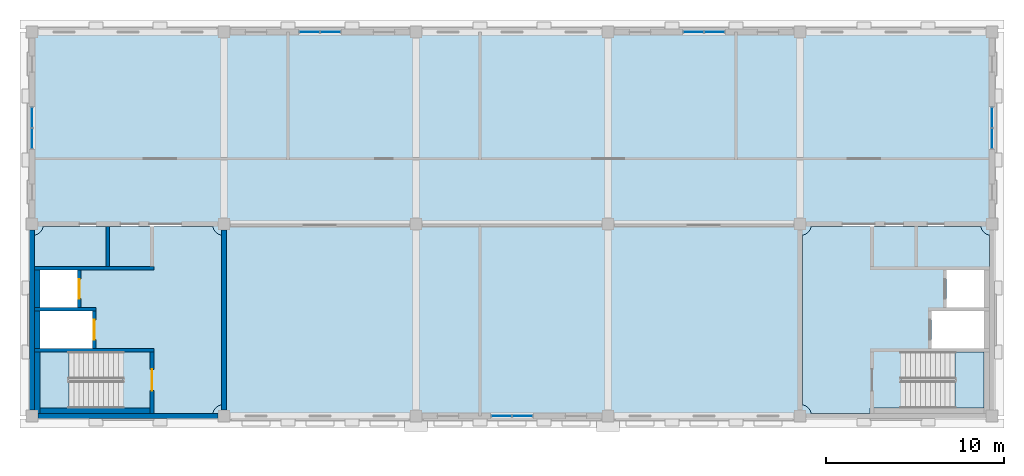
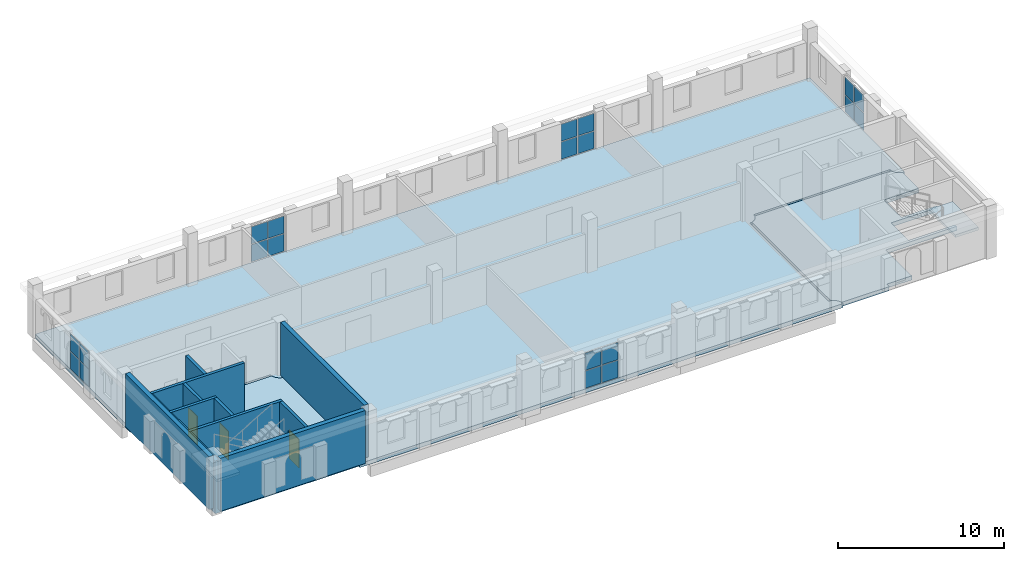
# One storey, part 7 of 17: 20 plates, 14 walls, 5 slabs, 3 doors, 3 openings, 7 elements without a shape of their own.
"""IFC4 building model written with IfcOpenShell, lengths in metres."""

from ifc_helpers import new_model, si_unit, direction, frame, frame_2d, origin, origin_2d, place, context, subcontext, project, spatial, polyline, rectangle, outline, extrude, material, layer, layer_set, type_object, element, fill, aggregate, save


model = new_model("IFC4")

# Units and contexts
model_context = context("Model", 3, precision=1e-05, world=origin(), true_north=direction((0.0, 1.0)))
body_context = subcontext(model_context, "Body", "Model", "MODEL_VIEW")
ifc_project = project(units=[si_unit("LENGTHUNIT", "METRE"), si_unit("AREAUNIT", "SQUARE_METRE"), si_unit("VOLUMEUNIT", "CUBIC_METRE"), si_unit("PLANEANGLEUNIT", "RADIAN"), si_unit("MASSUNIT", "GRAM", prefix="KILO")], contexts=[model_context])

# Site, building, storey
site_placement = place(None, origin())
site = spatial("IfcSite", under=ifc_project, at=site_placement, CompositionType="ELEMENT")
building_placement = place(site_placement, origin())
building = spatial("IfcBuilding", under=site, at=building_placement, Name="Magnolia Steps Interchange", CompositionType="ELEMENT")
storey_placement = place(building_placement, frame((0.0, 0.0, 20.39990234375)))
storey = spatial("IfcBuildingStorey", under=building, at=storey_placement, Name="L05", CompositionType="ELEMENT", Elevation=20.39990234375)

# Slabs
ifc_material_1 = material(Name="Concrete C35", Category="concrete")
ifc_layer_1 = layer(ifc_material_1, 0.300048828125)
ifc_layer_set_1 = layer_set([ifc_layer_1], Name="Core floor slab 300")
slab_type_1 = type_object("IfcSlabType", Name="Core floor slab 300", PredefinedType="FLOOR", material=ifc_layer_set_1)
slab_1_placement = place(storey_placement, frame((0.0, 0.0, -0.2998046875)))
element("IfcSlab", 1, at=slab_1_placement, inside=storey, type_object=slab_type_1, Name="L05 core floor OC-W", PredefinedType="FLOOR", context=body_context, shape_type="SweptSolid", body=[
    extrude(outline(polyline([(70.85009765625, 96.85009765625), (69.10009765625, 96.85009765625), (69.10009765625, 100.0), (64.14990234375, 100.0), (64.14990234375, 100.199951171875), (67.39990234375, 100.199951171875), (67.39990234375, 102.300048828125), (64.14990234375, 102.300048828125), (64.14990234375, 102.5), (66.550048828125, 102.5), (66.550048828125, 104.60009765625), (64.14990234375, 104.60009765625), (64.14990234375, 106.568359375), (64.188720703125, 106.577880859375), (64.248779296875, 106.599609375), (64.306396484375, 106.626708984375), (64.361083984375, 106.659423828125), (64.412353515625, 106.697509765625), (64.459716796875, 106.740478515625), (64.50244140625, 106.78759765625), (64.54052734375, 106.8388671875), (64.5732421875, 106.8935546875), (64.6005859375, 106.951416015625), (64.6220703125, 107.01123046875), (64.631591796875, 107.050048828125), (74.168212890625, 107.050048828125), (74.177978515625, 107.01123046875), (74.199462890625, 106.951416015625), (74.226806640625, 106.8935546875), (74.259521484375, 106.8388671875), (74.297607421875, 106.78759765625), (74.34033203125, 106.740478515625), (74.3876953125, 106.697509765625), (74.43896484375, 106.659423828125), (74.49365234375, 106.626708984375), (74.55126953125, 106.599609375), (74.611328125, 106.577880859375), (74.64990234375, 106.568359375), (74.64990234375, 97.03173828125), (74.611328125, 97.02197265625), (74.55126953125, 97.00048828125), (74.49365234375, 96.97314453125), (74.43896484375, 96.9404296875), (74.3876953125, 96.902587890625), (74.34033203125, 96.859619140625), (74.297607421875, 96.8125), (74.259521484375, 96.760986328125), (74.226806640625, 96.706298828125), (74.199462890625, 96.648681640625), (74.177978515625, 96.588623046875), (74.168212890625, 96.550048828125), (70.85009765625, 96.550048828125), (70.85009765625, 96.85009765625)])), origin(), (0.0, 0.0, 1.0), 0.2998046875),
])
slab_2_placement = place(storey_placement, frame((0.0, 0.0, -0.2998046875)))
element("IfcSlab", 2, at=slab_2_placement, inside=storey, type_object=slab_type_1, Name="L05 core floor OC-E", PredefinedType="FLOOR", context=body_context, shape_type="SweptSolid", body=[
    extrude(outline(polyline([(107.35009765625, 106.568359375), (107.388671875, 106.577880859375), (107.44873046875, 106.599609375), (107.50634765625, 106.626708984375), (107.56103515625, 106.659423828125), (107.6123046875, 106.697509765625), (107.65966796875, 106.740478515625), (107.702392578125, 106.78759765625), (107.740478515625, 106.8388671875), (107.773193359375, 106.8935546875), (107.800537109375, 106.951416015625), (107.822021484375, 107.01123046875), (107.831787109375, 107.050048828125), (117.368408203125, 107.050048828125), (117.3779296875, 107.01123046875), (117.3994140625, 106.951416015625), (117.4267578125, 106.8935546875), (117.45947265625, 106.8388671875), (117.49755859375, 106.78759765625), (117.540283203125, 106.740478515625), (117.587646484375, 106.697509765625), (117.638916015625, 106.659423828125), (117.693603515625, 106.626708984375), (117.751220703125, 106.599609375), (117.811279296875, 106.577880859375), (117.85009765625, 106.568359375), (117.85009765625, 104.60009765625), (115.449951171875, 104.60009765625), (115.449951171875, 102.5), (117.85009765625, 102.5), (117.85009765625, 102.300048828125), (114.60009765625, 102.300048828125), (114.60009765625, 100.199951171875), (117.85009765625, 100.199951171875), (117.85009765625, 100.0), (112.89990234375, 100.0), (112.89990234375, 96.85009765625), (111.14990234375, 96.85009765625), (111.14990234375, 96.550048828125), (107.831787109375, 96.550048828125), (107.822021484375, 96.588623046875), (107.800537109375, 96.648681640625), (107.773193359375, 96.706298828125), (107.740478515625, 96.760986328125), (107.702392578125, 96.8125), (107.65966796875, 96.859619140625), (107.6123046875, 96.902587890625), (107.56103515625, 96.9404296875), (107.50634765625, 96.97314453125), (107.44873046875, 97.00048828125), (107.388671875, 97.02197265625), (107.35009765625, 97.03173828125), (107.35009765625, 106.568359375)])), origin(), (0.0, 0.0, 1.0), 0.2998046875),
])

# Stair, slab
ifc_material_2 = material(Name="Concrete C40", Category="concrete")
stair_type = type_object("IfcStairType", Name="Exit stair 1500", PredefinedType="HALF_TURN_STAIR", material=ifc_material_2)
stair_1_placement = place(storey_placement, origin())
stair_1 = element("IfcStair", 3, at=stair_1_placement, inside=storey, type_object=stair_type, Name="L05 Stair 28", PredefinedType="HALF_TURN_STAIR")
ifc_material_3 = material(Name="Concrete C40", Category="concrete")
ifc_layer_2 = layer(ifc_material_3, 0.199951171875)
ifc_layer_set_2 = layer_set([ifc_layer_2], Name="Exit stair landing 200")
slab_type_2 = type_object("IfcSlabType", Name="Exit stair landing 200", PredefinedType="LANDING", material=ifc_layer_set_2)
slab_3_placement = place(storey_placement, frame((0.0, 0.0, 1.75)))
slab_3 = element("IfcSlab", 4, at=slab_3_placement, type_object=slab_type_2, Name="Stair 28 landing 1", PredefinedType="LANDING", context=body_context, shape_type="SweptSolid", body=[
    extrude(outline(polyline([(66.070068359375, 100.0), (64.449951171875, 100.0), (64.449951171875, 96.85009765625), (66.070068359375, 96.85009765625), (66.070068359375, 100.0)])), origin(), (0.0, 0.0, 1.0), 0.2001953125),
])
aggregate(stair_1, [slab_3])

stair_2_placement = place(storey_placement, origin())
stair_2 = element("IfcStair", 5, at=stair_2_placement, inside=storey, type_object=stair_type, Name="L05 Stair 29", PredefinedType="HALF_TURN_STAIR")
slab_4_placement = place(storey_placement, frame((0.0, 0.0, 1.75)))
slab_4 = element("IfcSlab", 6, at=slab_4_placement, type_object=slab_type_2, Name="Stair 29 landing 1", PredefinedType="LANDING", context=body_context, shape_type="SweptSolid", body=[
    extrude(outline(polyline([(115.929931640625, 96.85009765625), (117.550048828125, 96.85009765625), (117.550048828125, 100.0), (115.929931640625, 100.0), (115.929931640625, 96.85009765625)])), origin(), (0.0, 0.0, 1.0), 0.2001953125),
])
aggregate(stair_2, [slab_4])

# Slab
ifc_material_4 = material(Name="Concrete C40", Category="concrete")
ifc_layer_3 = layer(ifc_material_4, 0.300048828125)
ifc_layer_set_3 = layer_set([ifc_layer_3], Name="Floor slab 300")
slab_type_3 = type_object("IfcSlabType", Name="Floor slab 300", PredefinedType="FLOOR", material=ifc_layer_set_3)
slab_5_placement = place(storey_placement, frame((0.0, 0.0, -0.2998046875)))
element("IfcSlab", 7, at=slab_5_placement, inside=storey, type_object=slab_type_3, Name="Operations floor L05", PredefinedType="FLOOR", context=body_context, shape_type="SweptSolid", body=[
    extrude(outline(polyline([(64.0, 106.550048828125), (64.063720703125, 106.552978515625), (64.126708984375, 106.5625), (64.188720703125, 106.577880859375), (64.248779296875, 106.599609375), (64.306396484375, 106.626708984375), (64.361083984375, 106.659423828125), (64.412353515625, 106.697509765625), (64.459716796875, 106.740478515625), (64.50244140625, 106.78759765625), (64.54052734375, 106.8388671875), (64.5732421875, 106.8935546875), (64.6005859375, 106.951416015625), (64.6220703125, 107.01123046875), (64.637451171875, 107.0732421875), (64.64697265625, 107.13623046875), (64.64990234375, 107.199951171875), (74.14990234375, 107.199951171875), (74.153076171875, 107.13623046875), (74.16259765625, 107.0732421875), (74.177978515625, 107.01123046875), (74.199462890625, 106.951416015625), (74.226806640625, 106.8935546875), (74.259521484375, 106.8388671875), (74.297607421875, 106.78759765625), (74.34033203125, 106.740478515625), (74.3876953125, 106.697509765625), (74.43896484375, 106.659423828125), (74.49365234375, 106.626708984375), (74.55126953125, 106.599609375), (74.611328125, 106.577880859375), (74.673095703125, 106.5625), (74.736328125, 106.552978515625), (74.800048828125, 106.550048828125), (74.800048828125, 97.050048828125), (74.736328125, 97.046875), (74.673095703125, 97.03759765625), (74.611328125, 97.02197265625), (74.55126953125, 97.00048828125), (74.49365234375, 96.97314453125), (74.43896484375, 96.9404296875), (74.3876953125, 96.902587890625), (74.34033203125, 96.859619140625), (74.297607421875, 96.8125), (74.259521484375, 96.760986328125), (74.226806640625, 96.706298828125), (74.199462890625, 96.648681640625), (74.177978515625, 96.588623046875), (74.16259765625, 96.52685546875), (74.153076171875, 96.463623046875), (74.14990234375, 96.39990234375), (107.85009765625, 96.39990234375), (107.846923828125, 96.463623046875), (107.83740234375, 96.52685546875), (107.822021484375, 96.588623046875), (107.800537109375, 96.648681640625), (107.773193359375, 96.706298828125), (107.740478515625, 96.760986328125), (107.702392578125, 96.8125), (107.65966796875, 96.859619140625), (107.6123046875, 96.902587890625), (107.56103515625, 96.9404296875), (107.50634765625, 96.97314453125), (107.44873046875, 97.00048828125), (107.388671875, 97.02197265625), (107.326904296875, 97.03759765625), (107.263671875, 97.046875), (107.199951171875, 97.050048828125), (107.199951171875, 106.550048828125), (107.263671875, 106.552978515625), (107.326904296875, 106.5625), (107.388671875, 106.577880859375), (107.44873046875, 106.599609375), (107.50634765625, 106.626708984375), (107.56103515625, 106.659423828125), (107.6123046875, 106.697509765625), (107.65966796875, 106.740478515625), (107.702392578125, 106.78759765625), (107.740478515625, 106.8388671875), (107.773193359375, 106.8935546875), (107.800537109375, 106.951416015625), (107.822021484375, 107.01123046875), (107.83740234375, 107.0732421875), (107.846923828125, 107.13623046875), (107.85009765625, 107.199951171875), (117.35009765625, 107.199951171875), (117.35302734375, 107.13623046875), (117.362548828125, 107.0732421875), (117.3779296875, 107.01123046875), (117.3994140625, 106.951416015625), (117.4267578125, 106.8935546875), (117.45947265625, 106.8388671875), (117.49755859375, 106.78759765625), (117.540283203125, 106.740478515625), (117.587646484375, 106.697509765625), (117.638916015625, 106.659423828125), (117.693603515625, 106.626708984375), (117.751220703125, 106.599609375), (117.811279296875, 106.577880859375), (117.873291015625, 106.5625), (117.936279296875, 106.552978515625), (118.0, 106.550048828125), (118.0, 118.0), (64.0, 118.0), (64.0, 106.550048828125)])), origin(), (0.0, 0.0, 1.0), 0.2998046875),
])

# Curtain wall, plates
ifc_material_5 = material(Name="Powder-coated aluminium and glass", Category="aluminium")
ifc_layer_4 = layer(ifc_material_5, 0.199951171875)
ifc_layer_set_4 = layer_set([ifc_layer_4], Name="Glazed central bay curtain wall")
curtain_wall_type = type_object("IfcCurtainWallType", Name="Glazed central bay curtain wall", PredefinedType="NOTDEFINED", material=ifc_layer_set_4)
curtain_wall_1_placement = place(storey_placement, origin())
curtain_wall_1 = element("IfcCurtainWall", 8, at=curtain_wall_1_placement, inside=storey, type_object=curtain_wall_type, Name="Operations building south wall L05 glazing 2", PredefinedType="NOTDEFINED")
ifc_material_6 = material(Name="Laminated glass", Category="glass")
ifc_layer_5 = layer(ifc_material_6, 0.028076171875)
ifc_layer_set_5 = layer_set([ifc_layer_5], Name="Glass panel 28")
plate_type = type_object("IfcPlateType", Name="Glass panel 28", PredefinedType="CURTAIN_PANEL", material=ifc_layer_set_5)
plate_1_placement = place(storey_placement, frame((90.4150390625, 96.39990234375, 0.06005859375), z_axis=(0.0, 0.0, 1.0), x_axis=(1.0, 0.0, 0.0)))
plate_1 = element("IfcPlate", 9, at=plate_1_placement, type_object=plate_type, Name="CW2 panel 1.1", PredefinedType="CURTAIN_PANEL", context=body_context, shape_type="SweptSolid", body=[
    extrude(rectangle(XDim=1.110107421875, YDim=0.028076171875, at=origin_2d()), origin(), (0.0, 0.0, 1.0), 1.260009765625),
])
plate_2_placement = place(storey_placement, frame((90.4150390625, 96.39990234375, 1.3798828125), z_axis=(0.0, 0.0, 1.0), x_axis=(1.0, 0.0, 0.0)))
plate_2 = element("IfcPlate", 10, at=plate_2_placement, type_object=plate_type, Name="CW2 panel 1.2", PredefinedType="CURTAIN_PANEL", context=body_context, shape_type="SweptSolid", body=[
    extrude(rectangle(XDim=1.110107421875, YDim=0.028076171875, at=origin_2d()), origin(), (0.0, 0.0, 1.0), 1.260009765625),
])
plate_3_placement = place(storey_placement, frame((91.5849609375, 96.39990234375, 0.06005859375), z_axis=(0.0, 0.0, 1.0), x_axis=(1.0, 0.0, 0.0)))
plate_3 = element("IfcPlate", 11, at=plate_3_placement, type_object=plate_type, Name="CW2 panel 2.1", PredefinedType="CURTAIN_PANEL", context=body_context, shape_type="SweptSolid", body=[
    extrude(rectangle(XDim=1.110107421875, YDim=0.028076171875, at=origin_2d()), origin(), (0.0, 0.0, 1.0), 1.260009765625),
])
plate_4_placement = place(storey_placement, frame((91.5849609375, 96.39990234375, 1.3798828125), z_axis=(0.0, 0.0, 1.0), x_axis=(1.0, 0.0, 0.0)))
plate_4 = element("IfcPlate", 12, at=plate_4_placement, type_object=plate_type, Name="CW2 panel 2.2", PredefinedType="CURTAIN_PANEL", context=body_context, shape_type="SweptSolid", body=[
    extrude(rectangle(XDim=1.110107421875, YDim=0.028076171875, at=origin_2d()), origin(), (0.0, 0.0, 1.0), 1.260009765625),
])
aggregate(curtain_wall_1, [plate_1, plate_2, plate_3, plate_4])

curtain_wall_2_placement = place(storey_placement, origin())
curtain_wall_2 = element("IfcCurtainWall", 13, at=curtain_wall_2_placement, inside=storey, type_object=curtain_wall_type, Name="Operations building north wall L05 glazing 2", PredefinedType="NOTDEFINED")
plate_5_placement = place(storey_placement, frame((79.614990234375, 118.0, 0.06005859375), z_axis=(0.0, 0.0, 1.0), x_axis=(1.0, 0.0, 0.0)))
plate_5 = element("IfcPlate", 14, at=plate_5_placement, type_object=plate_type, Name="CW2 panel 1.1", PredefinedType="CURTAIN_PANEL", context=body_context, shape_type="SweptSolid", body=[
    extrude(rectangle(XDim=1.110107421875, YDim=0.028076171875, at=origin_2d()), origin(), (0.0, 0.0, 1.0), 1.260009765625),
])
plate_6_placement = place(storey_placement, frame((79.614990234375, 118.0, 1.3798828125), z_axis=(0.0, 0.0, 1.0), x_axis=(1.0, 0.0, 0.0)))
plate_6 = element("IfcPlate", 15, at=plate_6_placement, type_object=plate_type, Name="CW2 panel 1.2", PredefinedType="CURTAIN_PANEL", context=body_context, shape_type="SweptSolid", body=[
    extrude(rectangle(XDim=1.110107421875, YDim=0.028076171875, at=origin_2d()), origin(), (0.0, 0.0, 1.0), 1.260009765625),
])
plate_7_placement = place(storey_placement, frame((80.784912109375, 118.0, 0.06005859375), z_axis=(0.0, 0.0, 1.0), x_axis=(1.0, 0.0, 0.0)))
plate_7 = element("IfcPlate", 16, at=plate_7_placement, type_object=plate_type, Name="CW2 panel 2.1", PredefinedType="CURTAIN_PANEL", context=body_context, shape_type="SweptSolid", body=[
    extrude(rectangle(XDim=1.110107421875, YDim=0.028076171875, at=origin_2d()), origin(), (0.0, 0.0, 1.0), 1.260009765625),
])
plate_8_placement = place(storey_placement, frame((80.784912109375, 118.0, 1.3798828125), z_axis=(0.0, 0.0, 1.0), x_axis=(1.0, 0.0, 0.0)))
plate_8 = element("IfcPlate", 17, at=plate_8_placement, type_object=plate_type, Name="CW2 panel 2.2", PredefinedType="CURTAIN_PANEL", context=body_context, shape_type="SweptSolid", body=[
    extrude(rectangle(XDim=1.110107421875, YDim=0.028076171875, at=origin_2d()), origin(), (0.0, 0.0, 1.0), 1.260009765625),
])
aggregate(curtain_wall_2, [plate_5, plate_6, plate_7, plate_8])

curtain_wall_3_placement = place(storey_placement, origin())
curtain_wall_3 = element("IfcCurtainWall", 18, at=curtain_wall_3_placement, inside=storey, type_object=curtain_wall_type, Name="Operations building north wall L05 glazing 4", PredefinedType="NOTDEFINED")
plate_9_placement = place(storey_placement, frame((101.215087890625, 118.0, 0.06005859375), z_axis=(0.0, 0.0, 1.0), x_axis=(1.0, 0.0, 0.0)))
plate_9 = element("IfcPlate", 19, at=plate_9_placement, type_object=plate_type, Name="CW2 panel 1.1", PredefinedType="CURTAIN_PANEL", context=body_context, shape_type="SweptSolid", body=[
    extrude(rectangle(XDim=1.110107421875, YDim=0.028076171875, at=origin_2d()), origin(), (0.0, 0.0, 1.0), 1.260009765625),
])
plate_10_placement = place(storey_placement, frame((101.215087890625, 118.0, 1.3798828125), z_axis=(0.0, 0.0, 1.0), x_axis=(1.0, 0.0, 0.0)))
plate_10 = element("IfcPlate", 20, at=plate_10_placement, type_object=plate_type, Name="CW2 panel 1.2", PredefinedType="CURTAIN_PANEL", context=body_context, shape_type="SweptSolid", body=[
    extrude(rectangle(XDim=1.110107421875, YDim=0.028076171875, at=origin_2d()), origin(), (0.0, 0.0, 1.0), 1.260009765625),
])
plate_11_placement = place(storey_placement, frame((102.385009765625, 118.0, 0.06005859375), z_axis=(0.0, 0.0, 1.0), x_axis=(1.0, 0.0, 0.0)))
plate_11 = element("IfcPlate", 21, at=plate_11_placement, type_object=plate_type, Name="CW2 panel 2.1", PredefinedType="CURTAIN_PANEL", context=body_context, shape_type="SweptSolid", body=[
    extrude(rectangle(XDim=1.110107421875, YDim=0.028076171875, at=origin_2d()), origin(), (0.0, 0.0, 1.0), 1.260009765625),
])
plate_12_placement = place(storey_placement, frame((102.385009765625, 118.0, 1.3798828125), z_axis=(0.0, 0.0, 1.0), x_axis=(1.0, 0.0, 0.0)))
plate_12 = element("IfcPlate", 22, at=plate_12_placement, type_object=plate_type, Name="CW2 panel 2.2", PredefinedType="CURTAIN_PANEL", context=body_context, shape_type="SweptSolid", body=[
    extrude(rectangle(XDim=1.110107421875, YDim=0.028076171875, at=origin_2d()), origin(), (0.0, 0.0, 1.0), 1.260009765625),
])
aggregate(curtain_wall_3, [plate_9, plate_10, plate_11, plate_12])

curtain_wall_4_placement = place(storey_placement, origin())
curtain_wall_4 = element("IfcCurtainWall", 23, at=curtain_wall_4_placement, inside=storey, type_object=curtain_wall_type, Name="Operations building west wall L05 glazing 2", PredefinedType="NOTDEFINED")
plate_13_placement = place(storey_placement, frame((64.0, 112.014892578125, 0.06005859375), z_axis=(0.0, 0.0, 1.0), x_axis=(0.0, 1.0, 0.0)))
plate_13 = element("IfcPlate", 24, at=plate_13_placement, type_object=plate_type, Name="CW2 panel 1.1", PredefinedType="CURTAIN_PANEL", context=body_context, shape_type="SweptSolid", body=[
    extrude(rectangle(XDim=1.110107421875, YDim=0.028076171875, at=origin_2d()), origin(), (0.0, 0.0, 1.0), 1.260009765625),
])
plate_14_placement = place(storey_placement, frame((64.0, 112.014892578125, 1.3798828125), z_axis=(0.0, 0.0, 1.0), x_axis=(0.0, 1.0, 0.0)))
plate_14 = element("IfcPlate", 25, at=plate_14_placement, type_object=plate_type, Name="CW2 panel 1.2", PredefinedType="CURTAIN_PANEL", context=body_context, shape_type="SweptSolid", body=[
    extrude(rectangle(XDim=1.110107421875, YDim=0.028076171875, at=origin_2d()), origin(), (0.0, 0.0, 1.0), 1.260009765625),
])
plate_15_placement = place(storey_placement, frame((64.0, 113.18505859375, 0.06005859375), z_axis=(0.0, 0.0, 1.0), x_axis=(0.0, 1.0, 0.0)))
plate_15 = element("IfcPlate", 26, at=plate_15_placement, type_object=plate_type, Name="CW2 panel 2.1", PredefinedType="CURTAIN_PANEL", context=body_context, shape_type="SweptSolid", body=[
    extrude(rectangle(XDim=1.110107421875, YDim=0.028076171875, at=origin_2d()), origin(), (0.0, 0.0, 1.0), 1.260009765625),
])
plate_16_placement = place(storey_placement, frame((64.0, 113.18505859375, 1.3798828125), z_axis=(0.0, 0.0, 1.0), x_axis=(0.0, 1.0, 0.0)))
plate_16 = element("IfcPlate", 27, at=plate_16_placement, type_object=plate_type, Name="CW2 panel 2.2", PredefinedType="CURTAIN_PANEL", context=body_context, shape_type="SweptSolid", body=[
    extrude(rectangle(XDim=1.110107421875, YDim=0.028076171875, at=origin_2d()), origin(), (0.0, 0.0, 1.0), 1.260009765625),
])
aggregate(curtain_wall_4, [plate_13, plate_14, plate_15, plate_16])

curtain_wall_5_placement = place(storey_placement, origin())
curtain_wall_5 = element("IfcCurtainWall", 28, at=curtain_wall_5_placement, inside=storey, type_object=curtain_wall_type, Name="Operations building east wall L05 glazing 2", PredefinedType="NOTDEFINED")
plate_17_placement = place(storey_placement, frame((118.0, 112.014892578125, 0.06005859375), z_axis=(0.0, 0.0, 1.0), x_axis=(0.0, 1.0, 0.0)))
plate_17 = element("IfcPlate", 29, at=plate_17_placement, type_object=plate_type, Name="CW2 panel 1.1", PredefinedType="CURTAIN_PANEL", context=body_context, shape_type="SweptSolid", body=[
    extrude(rectangle(XDim=1.110107421875, YDim=0.028076171875, at=origin_2d()), origin(), (0.0, 0.0, 1.0), 1.260009765625),
])
plate_18_placement = place(storey_placement, frame((118.0, 112.014892578125, 1.3798828125), z_axis=(0.0, 0.0, 1.0), x_axis=(0.0, 1.0, 0.0)))
plate_18 = element("IfcPlate", 30, at=plate_18_placement, type_object=plate_type, Name="CW2 panel 1.2", PredefinedType="CURTAIN_PANEL", context=body_context, shape_type="SweptSolid", body=[
    extrude(rectangle(XDim=1.110107421875, YDim=0.028076171875, at=origin_2d()), origin(), (0.0, 0.0, 1.0), 1.260009765625),
])
plate_19_placement = place(storey_placement, frame((118.0, 113.18505859375, 0.06005859375), z_axis=(0.0, 0.0, 1.0), x_axis=(0.0, 1.0, 0.0)))
plate_19 = element("IfcPlate", 31, at=plate_19_placement, type_object=plate_type, Name="CW2 panel 2.1", PredefinedType="CURTAIN_PANEL", context=body_context, shape_type="SweptSolid", body=[
    extrude(rectangle(XDim=1.110107421875, YDim=0.028076171875, at=origin_2d()), origin(), (0.0, 0.0, 1.0), 1.260009765625),
])
plate_20_placement = place(storey_placement, frame((118.0, 113.18505859375, 1.3798828125), z_axis=(0.0, 0.0, 1.0), x_axis=(0.0, 1.0, 0.0)))
plate_20 = element("IfcPlate", 32, at=plate_20_placement, type_object=plate_type, Name="CW2 panel 2.2", PredefinedType="CURTAIN_PANEL", context=body_context, shape_type="SweptSolid", body=[
    extrude(rectangle(XDim=1.110107421875, YDim=0.028076171875, at=origin_2d()), origin(), (0.0, 0.0, 1.0), 1.260009765625),
])
aggregate(curtain_wall_5, [plate_17, plate_18, plate_19, plate_20])

# Wall, opening, door
ifc_material_7 = material(Name="Concrete C35", Category="concrete")
ifc_layer_6 = layer(ifc_material_7, 0.199951171875)
ifc_layer_set_6 = layer_set([ifc_layer_6], Name="Core enclosure wall 200")
wall_type_1 = type_object("IfcWallType", Name="Core enclosure wall 200", PredefinedType="SOLIDWALL", material=ifc_layer_set_6)
wall_1_placement = place(storey_placement, frame((70.75, 96.550048828125, 0.0), z_axis=(0.0, 0.0, 1.0), x_axis=(0.0, 1.0, 0.0)))
wall_1 = element("IfcWall", 33, at=wall_1_placement, inside=storey, type_object=wall_type_1, Name="L05 OC-W enclosure wall", PredefinedType="SOLIDWALL", context=body_context, shape_type="SweptSolid", body=[
    extrude(rectangle(XDim=3.449951171875, YDim=0.199951171875, at=frame_2d((1.72509765625, 0.0))), origin(), (0.0, 0.0, 1.0), 3.60009765625),
])
opening_1_placement = place(wall_1_placement, frame((1.27490234375, 0.0, 0.0)))
opening_1 = element("IfcOpeningElement", 34, at=opening_1_placement, cuts=wall_1, Name="Opening D-OC-W-L05-1", PredefinedType="OPENING", context=body_context, shape_type="SweptSolid", body=[
    extrude(rectangle(XDim=1.199951171875, YDim=2.10009765625, at=frame_2d((0.60009765625, 1.050048828125))), frame((0.0, 0.10986328125, 0.0), z_axis=(0.0, -1.0, 0.0), x_axis=(1.0, 0.0, 0.0)), (0.0, 0.0, 1.0), 0.219970703125),
])
ifc_material_8 = material(Name="Painted steel", Category="steel")
door_type_1 = type_object("IfcDoorType", Name="Stair fire door 1200x2100", OperationType="NOTDEFINED", PredefinedType="DOOR", material=ifc_material_8)
door_1_placement = place(opening_1_placement, frame((1.199951171875, 0.0, 0.0), z_axis=(0.0, 0.0, 1.0), x_axis=(-1.0, 0.0, 0.0)))
door_1 = element("IfcDoor", 35, at=door_1_placement, inside=storey, type_object=door_type_1, Name="Stair door ST28 L05", OperationType="SINGLE_SWING_LEFT", OverallHeight=2.10009765625, OverallWidth=1.199951171875, PredefinedType="DOOR", context=body_context, shape_type="SweptSolid", body=[
    extrude(rectangle(XDim=1.199951171875, YDim=2.10009765625, at=frame_2d((0.60009765625, 1.050048828125))), frame((0.0, 0.02490234375, 0.0), z_axis=(0.0, -1.0, 0.0), x_axis=(1.0, 0.0, 0.0)), (0.0, 0.0, 1.0), 0.050048828125),
])
fill(opening_1, door_1)

# Wall
wall_2_placement = place(storey_placement, frame((70.85009765625, 100.10009765625, 0.0), z_axis=(0.0, 0.0, 1.0), x_axis=(-1.0, 0.0, 0.0)))
element("IfcWall", 36, at=wall_2_placement, inside=storey, type_object=wall_type_1, Name="L05 OC-W enclosure wall", PredefinedType="SOLIDWALL", context=body_context, shape_type="SweptSolid", body=[
    extrude(rectangle(XDim=6.7001953125, YDim=0.199951171875, at=frame_2d((3.35009765625, 0.0))), origin(), (0.0, 0.0, 1.0), 3.60009765625),
])

# Wall, opening, door
wall_3_placement = place(storey_placement, frame((67.5, 100.199951171875, 0.0), z_axis=(0.0, 0.0, 1.0), x_axis=(0.0, 1.0, 0.0)))
wall_3 = element("IfcWall", 37, at=wall_3_placement, inside=storey, type_object=wall_type_1, Name="L05 OC-W enclosure wall", PredefinedType="SOLIDWALL", context=body_context, shape_type="SweptSolid", body=[
    extrude(rectangle(XDim=2.10009765625, YDim=0.199951171875, at=frame_2d((1.050048828125, 0.0))), origin(), (0.0, 0.0, 1.0), 3.60009765625),
])
opening_2_placement = place(wall_3_placement, frame((0.5, 0.0, 0.0)))
opening_2 = element("IfcOpeningElement", 38, at=opening_2_placement, cuts=wall_3, Name="Opening LD", PredefinedType="OPENING", context=body_context, shape_type="SweptSolid", body=[
    extrude(rectangle(XDim=1.10009765625, YDim=2.10009765625, at=frame_2d((0.550048828125, 1.050048828125))), frame((0.0, 0.10986328125, 0.0), z_axis=(0.0, -1.0, 0.0), x_axis=(1.0, 0.0, 0.0)), (0.0, 0.0, 1.0), 0.219970703125),
])
ifc_material_9 = material(Name="Stainless steel grade 304", Category="steel")
door_type_2 = type_object("IfcDoorType", Name="Lift landing door 1100x2100", OperationType="DOUBLE_DOOR_SLIDING", PredefinedType="DOOR", material=ifc_material_9)
door_2_placement = place(opening_2_placement, frame((1.10009765625, 0.0, 0.0), z_axis=(0.0, 0.0, 1.0), x_axis=(-1.0, 0.0, 0.0)))
door_2 = element("IfcDoor", 39, at=door_2_placement, inside=storey, type_object=door_type_2, Name="Lift landing door LF15 L05", OperationType="DOUBLE_DOOR_SLIDING", OverallHeight=2.10009765625, OverallWidth=1.10009765625, PredefinedType="DOOR", context=body_context, shape_type="SweptSolid", body=[
    extrude(rectangle(XDim=1.10009765625, YDim=2.10009765625, at=frame_2d((0.550048828125, 1.050048828125))), frame((0.0, 0.02490234375, 0.0), z_axis=(0.0, -1.0, 0.0), x_axis=(1.0, 0.0, 0.0)), (0.0, 0.0, 1.0), 0.050048828125),
])
fill(opening_2, door_2)

# Wall
wall_4_placement = place(storey_placement, frame((67.60009765625, 102.39990234375, 0.0), z_axis=(0.0, 0.0, 1.0), x_axis=(-1.0, 0.0, 0.0)))
element("IfcWall", 40, at=wall_4_placement, inside=storey, type_object=wall_type_1, Name="L05 OC-W enclosure wall", PredefinedType="SOLIDWALL", context=body_context, shape_type="SweptSolid", body=[
    extrude(rectangle(XDim=3.4501953125, YDim=0.199951171875, at=frame_2d((1.72509765625, 0.0))), origin(), (0.0, 0.0, 1.0), 3.60009765625),
])

# Wall, opening, door
wall_5_placement = place(storey_placement, frame((66.64990234375, 102.5, 0.0), z_axis=(0.0, 0.0, 1.0), x_axis=(0.0, 1.0, 0.0)))
wall_5 = element("IfcWall", 41, at=wall_5_placement, inside=storey, type_object=wall_type_1, Name="L05 OC-W enclosure wall", PredefinedType="SOLIDWALL", context=body_context, shape_type="SweptSolid", body=[
    extrude(rectangle(XDim=2.10009765625, YDim=0.199951171875, at=frame_2d((1.050048828125, 0.0))), origin(), (0.0, 0.0, 1.0), 3.60009765625),
])
opening_3_placement = place(wall_5_placement, frame((0.5, 0.0, 0.0)))
opening_3 = element("IfcOpeningElement", 42, at=opening_3_placement, cuts=wall_5, Name="Opening LD", PredefinedType="OPENING", context=body_context, shape_type="SweptSolid", body=[
    extrude(rectangle(XDim=1.10009765625, YDim=2.10009765625, at=frame_2d((0.550048828125, 1.050048828125))), frame((0.0, 0.10986328125, 0.0), z_axis=(0.0, -1.0, 0.0), x_axis=(1.0, 0.0, 0.0)), (0.0, 0.0, 1.0), 0.219970703125),
])
door_3_placement = place(opening_3_placement, frame((1.10009765625, 0.0, 0.0), z_axis=(0.0, 0.0, 1.0), x_axis=(-1.0, 0.0, 0.0)))
door_3 = element("IfcDoor", 43, at=door_3_placement, inside=storey, type_object=door_type_2, Name="Lift landing door LF16 L05", OperationType="DOUBLE_DOOR_SLIDING", OverallHeight=2.10009765625, OverallWidth=1.10009765625, PredefinedType="DOOR", context=body_context, shape_type="SweptSolid", body=[
    extrude(rectangle(XDim=1.10009765625, YDim=2.10009765625, at=frame_2d((0.550048828125, 1.050048828125))), frame((0.0, 0.02490234375, 0.0), z_axis=(0.0, -1.0, 0.0), x_axis=(1.0, 0.0, 0.0)), (0.0, 0.0, 1.0), 0.050048828125),
])
fill(opening_3, door_3)

# Walls
wall_6_placement = place(storey_placement, frame((70.85009765625, 104.699951171875, 0.0), z_axis=(0.0, 0.0, 1.0), x_axis=(-1.0, 0.0, 0.0)))
element("IfcWall", 44, at=wall_6_placement, inside=storey, type_object=wall_type_1, Name="L05 OC-W enclosure wall", PredefinedType="SOLIDWALL", context=body_context, shape_type="SweptSolid", body=[
    extrude(rectangle(XDim=6.7001953125, YDim=0.199951171875, at=frame_2d((3.35009765625, 0.0))), origin(), (0.0, 0.0, 1.0), 3.60009765625),
])
ifc_material_10 = material(Name="Concrete C35", Category="concrete")
ifc_layer_7 = layer(ifc_material_10, 0.300048828125)
ifc_layer_set_7 = layer_set([ifc_layer_7], Name="Core lining wall 300")
wall_type_2 = type_object("IfcWallType", Name="Core lining wall 300", PredefinedType="SOLIDWALL", material=ifc_layer_set_7)
wall_7_placement = place(storey_placement, frame((70.85009765625, 96.699951171875, -0.2998046875), z_axis=(0.0, 0.0, 1.0), x_axis=(-1.0, 0.0, 0.0)))
element("IfcWall", 45, at=wall_7_placement, inside=storey, type_object=wall_type_2, Name="L05 OC-W stair lining wall", PredefinedType="SOLIDWALL", context=body_context, shape_type="SweptSolid", body=[
    extrude(rectangle(XDim=6.7001953125, YDim=0.300048828125, at=frame_2d((3.35009765625, 0.0))), origin(), (0.0, 0.0, 1.0), 3.89990234375),
])
wall_8_placement = place(storey_placement, frame((64.300048828125, 96.550048828125, -0.2998046875), z_axis=(0.0, 0.0, 1.0), x_axis=(0.0, 1.0, 0.0)))
element("IfcWall", 46, at=wall_8_placement, inside=storey, type_object=wall_type_2, Name="L05 OC-W stair lining wall", PredefinedType="SOLIDWALL", context=body_context, shape_type="SweptSolid", body=[
    extrude(rectangle(XDim=3.449951171875, YDim=0.300048828125, at=frame_2d((1.72509765625, 0.0))), origin(), (0.0, 0.0, 1.0), 3.89990234375),
])
for number, where, z_axis, x_axis, name in (
    (47, (64.300048828125, 100.199951171875, -0.2998046875), (0.0, 0.0, 1.0), (0.0, 1.0, 0.0), "L05 OC-W stair lining wall"),
    (48, (64.300048828125, 102.5, -0.2998046875), (0.0, 0.0, 1.0), (0.0, 1.0, 0.0), "L05 OC-W stair lining wall"),
):
    element("IfcWall", number, at=place(storey_placement, frame(where, z_axis=z_axis, x_axis=x_axis)), inside=storey, type_object=wall_type_2, Name=name, PredefinedType="SOLIDWALL", context=body_context, shape_type="SweptSolid", body=[
        extrude(rectangle(XDim=2.10009765625, YDim=0.300048828125, at=frame_2d((1.050048828125, 0.0))), origin(), (0.0, 0.0, 1.0), 3.89990234375),
    ])
ifc_material_11 = material(Name="Fair-faced blockwork", Category="masonry")
ifc_layer_8 = layer(ifc_material_11, 0.199951171875)
ifc_layer_set_8 = layer_set([ifc_layer_8], Name="Core partition 200")
wall_type_3 = type_object("IfcWallType", Name="Core partition 200", PredefinedType="PARTITIONING", material=ifc_layer_set_8)
wall_9_placement = place(storey_placement, frame((68.25, 104.800048828125, 0.0), z_axis=(0.0, 0.0, 1.0), x_axis=(0.0, 1.0, 0.0)))
element("IfcWall", 49, at=wall_9_placement, inside=storey, type_object=wall_type_3, Name="L05 OC-W toilet partition", PredefinedType="PARTITIONING", context=body_context, shape_type="SweptSolid", body=[
    extrude(rectangle(XDim=2.25, YDim=0.199951171875, at=frame_2d((1.125, 0.0))), origin(), (0.0, 0.0, 1.0), 3.60009765625),
])
ifc_material_12 = material(Name="Concrete C40", Category="concrete")
ifc_layer_9 = layer(ifc_material_12, 0.300048828125)
ifc_layer_set_9 = layer_set([ifc_layer_9], Name="Core wall 300")
wall_type_4 = type_object("IfcWallType", Name="Core wall 300", PredefinedType="SOLIDWALL", material=ifc_layer_set_9)
wall_10_placement = place(storey_placement, frame((64.35009765625, 96.39990234375, 0.0), z_axis=(0.0, 0.0, 1.0), x_axis=(1.0, 0.0, 0.0)))
element("IfcWall", 50, at=wall_10_placement, inside=storey, type_object=wall_type_4, Name="Core wall OC-W", PredefinedType="SOLIDWALL", context=body_context, shape_type="SweptSolid", body=[
    extrude(rectangle(XDim=10.099853515625, YDim=0.300048828125, at=frame_2d((5.0498046875, 0.0))), origin(), (0.0, 0.0, 1.0), 3.900146484375),
])
for number, where, z_axis, x_axis, name in (
    (51, (74.800048828125, 96.75, 0.0), (0.0, 0.0, 1.0), (0.0, 1.0, 0.0), "Core wall OC-W"),
    (52, (64.0, 106.85009765625, 0.0), (0.0, 0.0, 1.0), (0.0, -1.0, 0.0), "Core wall OC-W"),
):
    element("IfcWall", number, at=place(storey_placement, frame(where, z_axis=z_axis, x_axis=x_axis)), inside=storey, type_object=wall_type_4, Name=name, PredefinedType="SOLIDWALL", context=body_context, shape_type="SweptSolid", body=[
        extrude(rectangle(XDim=10.10009765625, YDim=0.300048828125, at=frame_2d((5.050048828125, 0.0))), origin(), (0.0, 0.0, 1.0), 3.900146484375),
    ])

save(model, "model.ifc")
